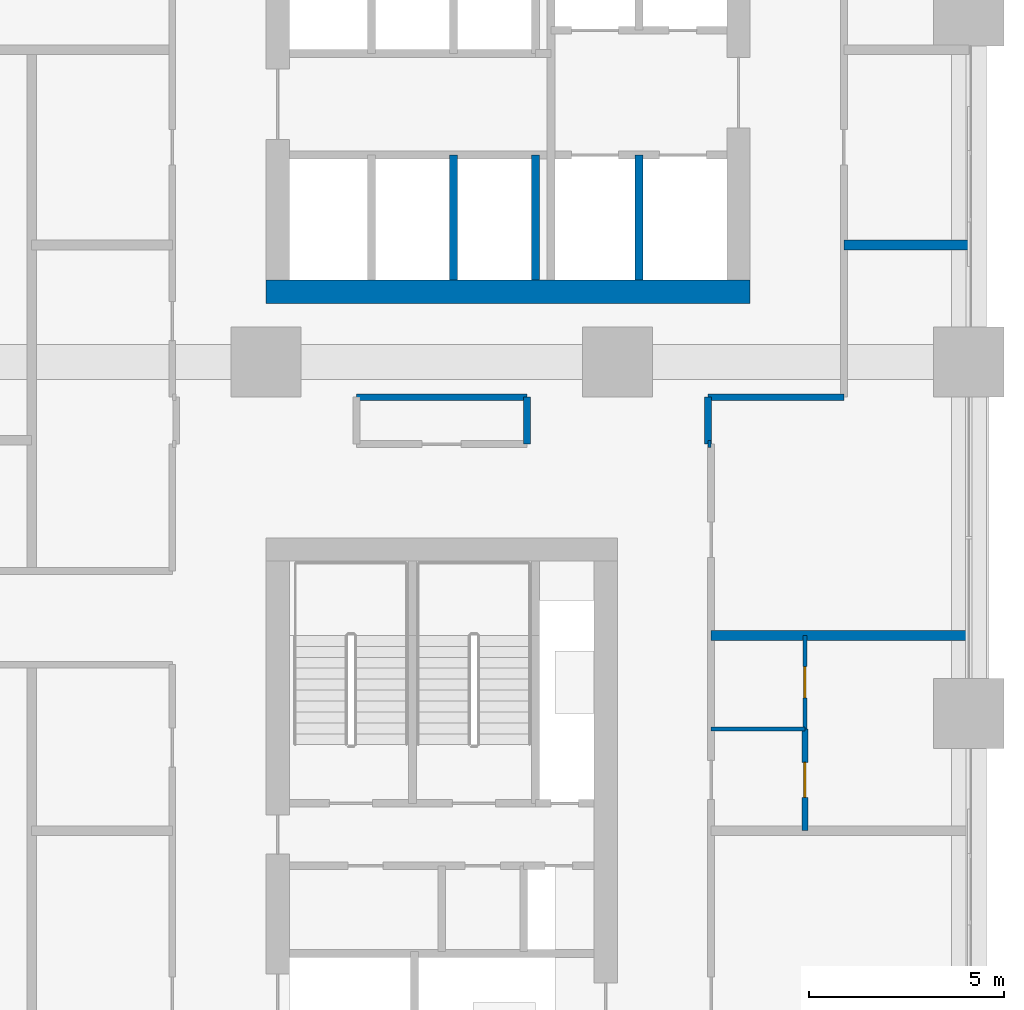
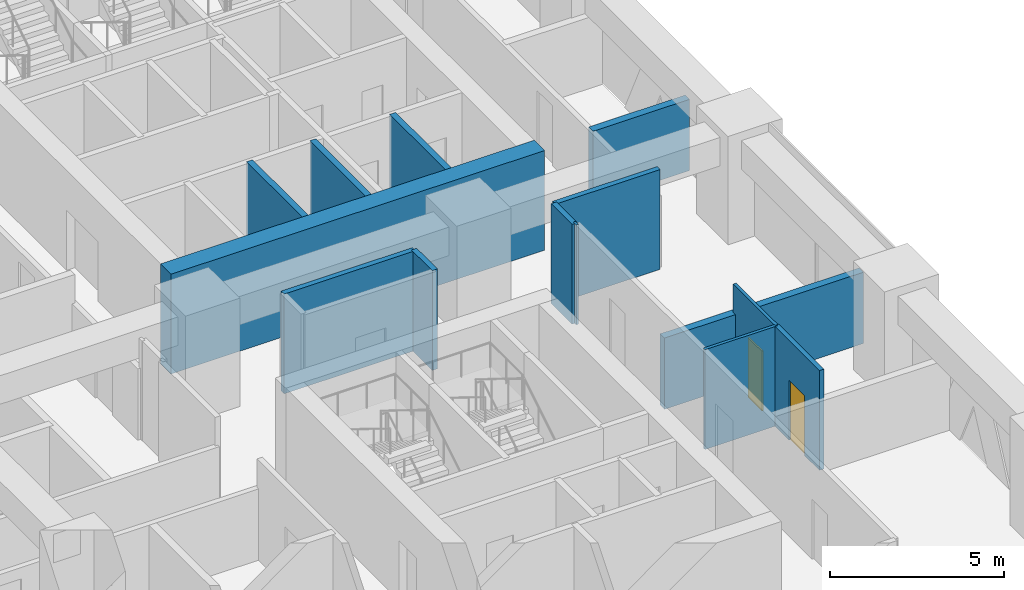
# One storey, part 15 of 21: 14 walls, 2 doors, 2 openings.
"""IFC4 building model written with IfcOpenShell, lengths in metres."""

from ifc_helpers import new_model, si_unit, direction, frame, frame_2d, origin, place, context, subcontext, project, spatial, rectangle, extrude, material, layer, layer_set, type_object, element, fill, save


model = new_model("IFC4")

# Units and contexts
model_context = context("Model", 3, precision=1e-05, world=origin(), true_north=direction((0.0, 1.0)))
body_context = subcontext(model_context, "Body", "Model", "MODEL_VIEW")
ifc_project = project(units=[si_unit("LENGTHUNIT", "METRE"), si_unit("AREAUNIT", "SQUARE_METRE"), si_unit("VOLUMEUNIT", "CUBIC_METRE"), si_unit("PLANEANGLEUNIT", "RADIAN"), si_unit("MASSUNIT", "GRAM", prefix="KILO")], contexts=[model_context])

# Site, building, storey
site_placement = place(None, origin())
site = spatial("IfcSite", under=ifc_project, at=site_placement, CompositionType="ELEMENT")
building_placement = place(site_placement, origin())
building = spatial("IfcBuilding", under=site, at=building_placement, Name="Tessera Arch", CompositionType="ELEMENT")
storey_placement = place(building_placement, frame((0.0, 0.0, 50.0)))
storey = spatial("IfcBuildingStorey", under=building, at=storey_placement, Name="L10", CompositionType="ELEMENT", Elevation=50.0)

# Walls
ifc_material_1 = material(Name="Concrete C70/85", Category="concrete")
ifc_layer_1 = layer(ifc_material_1, 0.60009765625)
ifc_layer_set_1 = layer_set([ifc_layer_1], Name="Core shell wall 600 C70-85")
wall_type_1 = type_object("IfcWallType", Name="Core shell wall 600 C70-85", PredefinedType="SHEAR", material=ifc_layer_set_1)
wall_1_placement = place(storey_placement, frame((36.0, 28.800048828125, 0.0), z_axis=(0.0, 0.0, 1.0), x_axis=(1.0, 0.0, 0.0)))
element("IfcWall", 1, at=wall_1_placement, inside=storey, type_object=wall_type_1, Name="L10 C1 core wall S", PredefinedType="SHEAR", context=body_context, shape_type="SweptSolid", body=[
    extrude(rectangle(XDim=12.39990234375, YDim=0.60009765625, at=frame_2d((6.199951171875, 0.0))), origin(), (0.0, 0.0, 1.0), 3.5),
])
ifc_material_2 = material(Name="Gypsum board on deep steel stud with mineral wool", Category="steel")
ifc_layer_2 = layer(ifc_material_2, 0.175048828125)
ifc_layer_set_2 = layer_set([ifc_layer_2], Name="Corridor wall 175 EI 60")
wall_type_2 = type_object("IfcWallType", Name="Corridor wall 175 EI 60", PredefinedType="PARTITIONING", material=ifc_layer_set_2)
wall_2_placement = place(storey_placement, frame((47.320068359375, 24.89990234375, 0.0), z_axis=(0.0, 0.0, 1.0), x_axis=(1.0, 0.0, 0.0)))
element("IfcWall", 2, at=wall_2_placement, inside=storey, type_object=wall_type_2, Name="L10 partition 10", PredefinedType="PARTITIONING", context=body_context, shape_type="SweptSolid", body=[
    extrude(rectangle(XDim=0.079833984375, YDim=0.175048828125, at=frame_2d((0.0400390625, 0.0))), origin(), (0.0, 0.0, 1.0), 3.5),
])
wall_3_placement = place(storey_placement, frame((38.320068359375, 26.10009765625, 0.0), z_axis=(0.0, 0.0, 1.0), x_axis=(1.0, 0.0, 0.0)))
element("IfcWall", 3, at=wall_3_placement, inside=storey, type_object=wall_type_2, Name="L10 partition 15", PredefinedType="PARTITIONING", context=body_context, shape_type="SweptSolid", body=[
    extrude(rectangle(XDim=4.35986328125, YDim=0.175048828125, at=frame_2d((2.179931640625, 0.0))), origin(), (0.0, 0.0, 1.0), 3.5),
])
wall_4_placement = place(storey_placement, frame((47.320068359375, 26.10009765625, 0.0), z_axis=(0.0, 0.0, 1.0), x_axis=(1.0, 0.0, 0.0)))
element("IfcWall", 4, at=wall_4_placement, inside=storey, type_object=wall_type_2, Name="L10 partition 16", PredefinedType="PARTITIONING", context=body_context, shape_type="SweptSolid", body=[
    extrude(rectangle(XDim=3.47998046875, YDim=0.175048828125, at=frame_2d((1.739990234375, 0.0))), origin(), (0.0, 0.0, 1.0), 3.5),
])
for number, where, z_axis, x_axis, name in (
    (5, (42.679931640625, 24.89990234375, 0.0), (0.0, 0.0, 1.0), (0.0, 1.0, 0.0), "L10 partition 37"),
    (6, (47.320068359375, 24.89990234375, 0.0), (0.0, 0.0, 1.0), (0.0, 1.0, 0.0), "L10 partition 38"),
):
    element("IfcWall", number, at=place(storey_placement, frame(where, z_axis=z_axis, x_axis=x_axis)), inside=storey, type_object=wall_type_2, Name=name, PredefinedType="PARTITIONING", context=body_context, shape_type="SweptSolid", body=[
        extrude(rectangle(XDim=1.2001953125, YDim=0.175048828125, at=frame_2d((0.60009765625, 0.0))), origin(), (0.0, 0.0, 1.0), 3.5),
    ])

# Wall, opening, door
ifc_material_3 = material(Name="Gypsum board on steel stud", Category="steel")
ifc_layer_3 = layer(ifc_material_3, 0.14990234375)
ifc_layer_set_3 = layer_set([ifc_layer_3], Name="Partition 150")
wall_type_3 = type_object("IfcWallType", Name="Partition 150", PredefinedType="PARTITIONING", material=ifc_layer_set_3)
wall_5_placement = place(storey_placement, frame((49.800048828125, 15.0, 0.0), z_axis=(0.0, 0.0, 1.0), x_axis=(0.0, 1.0, 0.0)))
wall_5 = element("IfcWall", 7, at=wall_5_placement, inside=storey, type_object=wall_type_3, Name="L10 partition 45", PredefinedType="PARTITIONING", context=body_context, shape_type="SweptSolid", body=[
    extrude(rectangle(XDim=2.60009765625, YDim=0.14990234375, at=frame_2d((1.300048828125, 0.0))), origin(), (0.0, 0.0, 1.0), 3.5),
])
opening_1_placement = place(wall_5_placement, frame((0.85009765625, 0.0, 0.0)))
opening_1 = element("IfcOpeningElement", 8, at=opening_1_placement, cuts=wall_5, Name="Opening L10-D015", PredefinedType="OPENING", context=body_context, shape_type="SweptSolid", body=[
    extrude(rectangle(XDim=0.89990234375, YDim=2.10009765625, at=frame_2d((0.449951171875, 1.050048828125))), frame((0.0, 0.0849609375, 0.0), z_axis=(0.0, -1.0, 0.0), x_axis=(1.0, 0.0, 0.0)), (0.0, 0.0, 1.0), 0.169921875),
])
ifc_material_4 = material(Name="Timber door leaf", Category="wood")
door_type_1 = type_object("IfcDoorType", Name="Room door 900 x 2100", OperationType="SINGLE_SWING_LEFT", PredefinedType="DOOR", material=ifc_material_4)
door_1_placement = place(opening_1_placement, origin())
door_1 = element("IfcDoor", 9, at=door_1_placement, inside=storey, type_object=door_type_1, Name="L10 door D015 type D01", OperationType="SINGLE_SWING_RIGHT", OverallHeight=2.10009765625, OverallWidth=0.89990234375, PredefinedType="DOOR", context=body_context, shape_type="SweptSolid", body=[
    extrude(rectangle(XDim=0.89990234375, YDim=2.10009765625, at=frame_2d((0.449951171875, 1.050048828125))), frame((0.0, 0.02490234375, 0.0), z_axis=(0.0, -1.0, 0.0), x_axis=(1.0, 0.0, 0.0)), (0.0, 0.0, 1.0), 0.050048828125),
])
fill(opening_1, door_1)

# Walls
ifc_material_5 = material(Name="Double gypsum board on twin steel stud with acoustic mineral wool", Category="steel")
ifc_layer_4 = layer(ifc_material_5, 0.25)
ifc_layer_set_4 = layer_set([ifc_layer_4], Name="Party wall 250 EI 60")
wall_type_4 = type_object("IfcWallType", Name="Party wall 250 EI 60", PredefinedType="PARTITIONING", material=ifc_layer_set_4)
wall_6_placement = place(storey_placement, frame((47.39990234375, 20.0, 0.0), z_axis=(0.0, 0.0, 1.0), x_axis=(1.0, 0.0, 0.0)))
element("IfcWall", 10, at=wall_6_placement, inside=storey, type_object=wall_type_4, Name="L10 partition 52", PredefinedType="PARTITIONING", context=body_context, shape_type="SweptSolid", body=[
    extrude(rectangle(XDim=6.60009765625, YDim=0.25, at=frame_2d((3.300048828125, 0.0))), origin(), (0.0, 0.0, 1.0), 2.5),
])
wall_7_placement = place(storey_placement, frame((50.800048828125, 30.0, 0.0), z_axis=(0.0, 0.0, 1.0), x_axis=(1.0, 0.0, 0.0)))
element("IfcWall", 11, at=wall_7_placement, inside=storey, type_object=wall_type_4, Name="L10 partition 56", PredefinedType="PARTITIONING", context=body_context, shape_type="SweptSolid", body=[
    extrude(rectangle(XDim=3.199951171875, YDim=0.25, at=frame_2d((1.60009765625, 0.0))), origin(), (0.0, 0.0, 1.0), 2.5),
])
ifc_material_6 = material(Name="Concrete C40/50", Category="concrete")
ifc_layer_5 = layer(ifc_material_6, 0.199951171875)
ifc_layer_set_5 = layer_set([ifc_layer_5], Name="Shaft wall 200 EI 120")
wall_type_5 = type_object("IfcWallType", Name="Shaft wall 200 EI 120", PredefinedType="SOLIDWALL", material=ifc_layer_set_5)
for number, where, z_axis, x_axis, name in (
    (12, (40.800048828125, 29.10009765625, 0.0), (0.0, 0.0, 1.0), (0.0, 1.0, 0.0), "L10 C1 shaft wall 5"),
    (13, (42.89990234375, 29.10009765625, 0.0), (0.0, 0.0, 1.0), (0.0, 1.0, 0.0), "L10 C1 shaft wall 8"),
    (14, (45.550048828125, 29.10009765625, 0.0), (0.0, 0.0, 1.0), (0.0, 1.0, 0.0), "L10 C1 shaft wall 13"),
):
    element("IfcWall", number, at=place(storey_placement, frame(where, z_axis=z_axis, x_axis=x_axis)), inside=storey, type_object=wall_type_5, Name=name, PredefinedType="SOLIDWALL", context=body_context, shape_type="SweptSolid", body=[
        extrude(rectangle(XDim=3.199951171875, YDim=0.199951171875, at=frame_2d((1.60009765625, 0.0))), origin(), (0.0, 0.0, 1.0), 3.5),
    ])
ifc_material_7 = material(Name="Moisture-resistant board on pre-plumbed steel stud", Category="steel")
ifc_layer_6 = layer(ifc_material_7, 0.10009765625)
ifc_layer_set_6 = layer_set([ifc_layer_6], Name="Wet wall 100")
wall_type_6 = type_object("IfcWallType", Name="Wet wall 100", PredefinedType="PARTITIONING", material=ifc_layer_set_6)
wall_8_placement = place(storey_placement, frame((47.39990234375, 17.60009765625, 0.0), z_axis=(0.0, 0.0, 1.0), x_axis=(1.0, 0.0, 0.0)))
element("IfcWall", 15, at=wall_8_placement, inside=storey, type_object=wall_type_6, Name="L10 partition 78", PredefinedType="PARTITIONING", context=body_context, shape_type="SweptSolid", body=[
    extrude(rectangle(XDim=2.400146484375, YDim=0.10009765625, at=frame_2d((1.2001953125, 0.0))), origin(), (0.0, 0.0, 1.0), 3.5),
])

# Wall, opening, door
wall_9_placement = place(storey_placement, frame((49.800048828125, 17.60009765625, 0.0), z_axis=(0.0, 0.0, 1.0), x_axis=(0.0, 1.0, 0.0)))
wall_9 = element("IfcWall", 16, at=wall_9_placement, inside=storey, type_object=wall_type_6, Name="L10 partition 85", PredefinedType="PARTITIONING", context=body_context, shape_type="SweptSolid", body=[
    extrude(rectangle(XDim=2.39990234375, YDim=0.10009765625, at=frame_2d((1.199951171875, 0.0))), origin(), (0.0, 0.0, 1.0), 3.5),
])
opening_2_placement = place(wall_9_placement, frame((0.800048828125, 0.0, 0.0)))
opening_2 = element("IfcOpeningElement", 17, at=opening_2_placement, cuts=wall_9, Name="Opening L10-D016", PredefinedType="OPENING", context=body_context, shape_type="SweptSolid", body=[
    extrude(rectangle(XDim=0.800048828125, YDim=2.10009765625, at=frame_2d((0.39990234375, 1.050048828125))), frame((0.0, 0.06005859375, 0.0), z_axis=(0.0, -1.0, 0.0), x_axis=(1.0, 0.0, 0.0)), (0.0, 0.0, 1.0), 0.1201171875),
])
ifc_material_8 = material(Name="Timber door leaf", Category="wood")
door_type_2 = type_object("IfcDoorType", Name="En-suite door 800 x 2100", OperationType="SINGLE_SWING_LEFT", PredefinedType="DOOR", material=ifc_material_8)
door_2_placement = place(opening_2_placement, origin())
door_2 = element("IfcDoor", 18, at=door_2_placement, inside=storey, type_object=door_type_2, Name="L10 door D016 type D02", OperationType="SINGLE_SWING_LEFT", OverallHeight=2.10009765625, OverallWidth=0.800048828125, PredefinedType="DOOR", context=body_context, shape_type="SweptSolid", body=[
    extrude(rectangle(XDim=0.800048828125, YDim=2.10009765625, at=frame_2d((0.39990234375, 1.050048828125))), frame((0.0, 0.02490234375, 0.0), z_axis=(0.0, -1.0, 0.0), x_axis=(1.0, 0.0, 0.0)), (0.0, 0.0, 1.0), 0.050048828125),
])
fill(opening_2, door_2)

save(model, "model.ifc")
